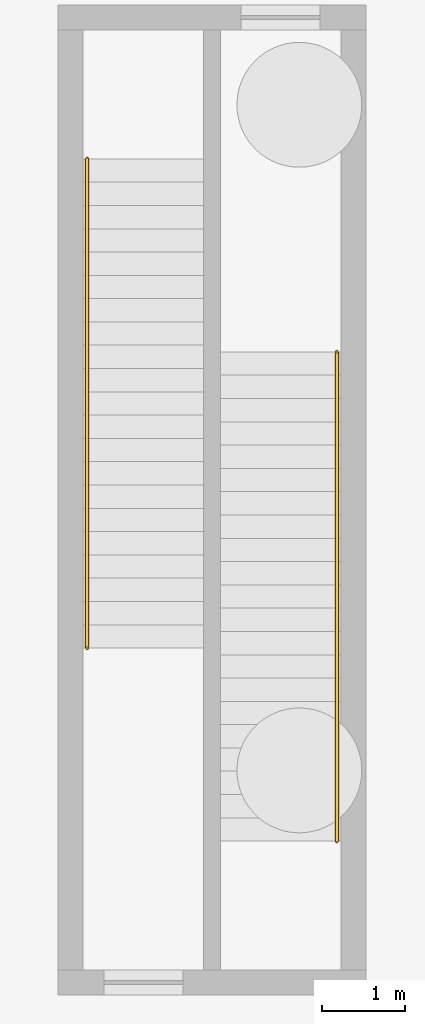
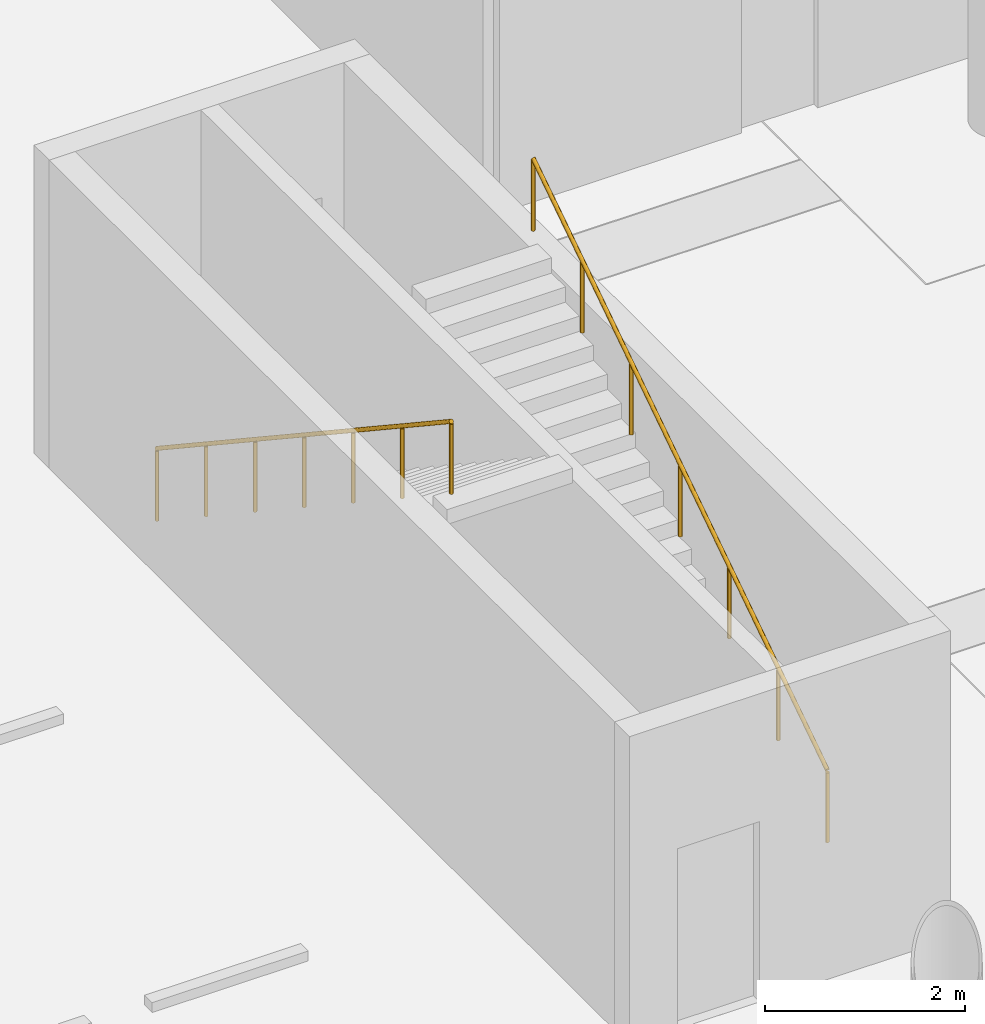
# One storey, part 18 of 19: 2 railings.
"""IFC4 building model written with IfcOpenShell, lengths in metres."""

from ifc_helpers import new_model, si_unit, direction, frame, origin, origin_2d, place, context, subcontext, project, spatial, circle, extrude, material, type_object, element, save


model = new_model("IFC4")

# Units and contexts
model_context = context("Model", 3, precision=1e-05, world=origin(), true_north=direction((0.0, 1.0)))
body_context = subcontext(model_context, "Body", "Model", "MODEL_VIEW")
ifc_project = project(units=[si_unit("LENGTHUNIT", "METRE"), si_unit("AREAUNIT", "SQUARE_METRE"), si_unit("VOLUMEUNIT", "CUBIC_METRE"), si_unit("PLANEANGLEUNIT", "RADIAN"), si_unit("MASSUNIT", "GRAM", prefix="KILO")], contexts=[model_context])

# Site, building, storey
site_placement = place(None, origin())
site = spatial("IfcSite", under=ifc_project, at=site_placement, CompositionType="ELEMENT")
building_placement = place(site_placement, origin())
building = spatial("IfcBuilding", under=site, at=building_placement, Name="Zarrinselat Tower", CompositionType="ELEMENT")
storey_placement = place(building_placement, frame((0.0, 0.0, -8.159912109375)))
storey = spatial("IfcBuildingStorey", under=building, at=storey_placement, Name="B02", CompositionType="ELEMENT", Elevation=-8.159912109375)

# Railings
ifc_material = material(Name="Steel S355J2", Category="steel")
railing_type = type_object("IfcRailingType", Name="RLG-STAIR-HAND", PredefinedType="HANDRAIL", material=ifc_material)
railing_1_placement = place(storey_placement, frame((69.25, 15.550048828125, 0.185302734375)))
element("IfcRailing", 1, at=railing_1_placement, inside=storey, type_object=railing_type, Name="B02 ST-4 stair handrail 1", PredefinedType="HANDRAIL", context=body_context, shape_type="SweptSolid", body=[
    extrude(circle(Radius=0.02392578125, at=origin_2d()), frame((0.0, 0.0, 0.8759765625), z_axis=(0.0, 0.833708162066, 0.55220530648), x_axis=(-1.0, 0.0, 0.0)), (0.0, 0.0, 1.0), 7.052734375),
    extrude(circle(Radius=0.02099609375, at=origin_2d()), origin(), (0.0, 0.0, 1.0), 0.849853515625),
    extrude(circle(Radius=0.02099609375, at=origin_2d()), frame((0.0, 0.97998046875, 0.649169921875)), (0.0, 0.0, 1.0), 0.849853515625),
    extrude(circle(Radius=0.02099609375, at=origin_2d()), frame((0.0, 1.9599609375, 1.298095703125)), (0.0, 0.0, 1.0), 0.849853515625),
    extrude(circle(Radius=0.02099609375, at=origin_2d()), frame((0.0, 2.93994140625, 1.947265625)), (0.0, 0.0, 1.0), 0.849853515625),
    extrude(circle(Radius=0.02099609375, at=origin_2d()), frame((0.0, 3.919921875, 2.596435546875)), (0.0, 0.0, 1.0), 0.849853515625),
    extrude(circle(Radius=0.02099609375, at=origin_2d()), frame((0.0, 4.89990234375, 3.245361328125)), (0.0, 0.0, 1.0), 0.849853515625),
    extrude(circle(Radius=0.02099609375, at=origin_2d()), frame((0.0, 5.8798828125, 3.89453125)), (0.0, 0.0, 1.0), 0.849853515625),
])
railing_2_placement = place(storey_placement, frame((66.25, 23.75, 0.185302734375)))
element("IfcRailing", 2, at=railing_2_placement, inside=storey, type_object=railing_type, Name="B02 ST-4 stair handrail 1", PredefinedType="HANDRAIL", context=body_context, shape_type="SweptSolid", body=[
    extrude(circle(Radius=0.02392578125, at=origin_2d()), frame((0.0, 0.0, 0.8759765625), z_axis=(0.0, -0.833708162066, 0.55220530648), x_axis=(1.0, 0.0, 0.0)), (0.0, 0.0, 1.0), 7.052734375),
    extrude(circle(Radius=0.02099609375, at=origin_2d()), origin(), (0.0, 0.0, 1.0), 0.849853515625),
    extrude(circle(Radius=0.02099609375, at=origin_2d()), frame((0.0, -0.97998046875, 0.649169921875)), (0.0, 0.0, 1.0), 0.849853515625),
    extrude(circle(Radius=0.02099609375, at=origin_2d()), frame((0.0, -1.9599609375, 1.298095703125)), (0.0, 0.0, 1.0), 0.849853515625),
    extrude(circle(Radius=0.02099609375, at=origin_2d()), frame((0.0, -2.93994140625, 1.947265625)), (0.0, 0.0, 1.0), 0.849853515625),
    extrude(circle(Radius=0.02099609375, at=origin_2d()), frame((0.0, -3.919921875, 2.596435546875)), (0.0, 0.0, 1.0), 0.849853515625),
    extrude(circle(Radius=0.02099609375, at=origin_2d()), frame((0.0, -4.89990234375, 3.245361328125)), (0.0, 0.0, 1.0), 0.849853515625),
    extrude(circle(Radius=0.02099609375, at=origin_2d()), frame((0.0, -5.8798828125, 3.89453125)), (0.0, 0.0, 1.0), 0.849853515625),
])

save(model, "model.ifc")
